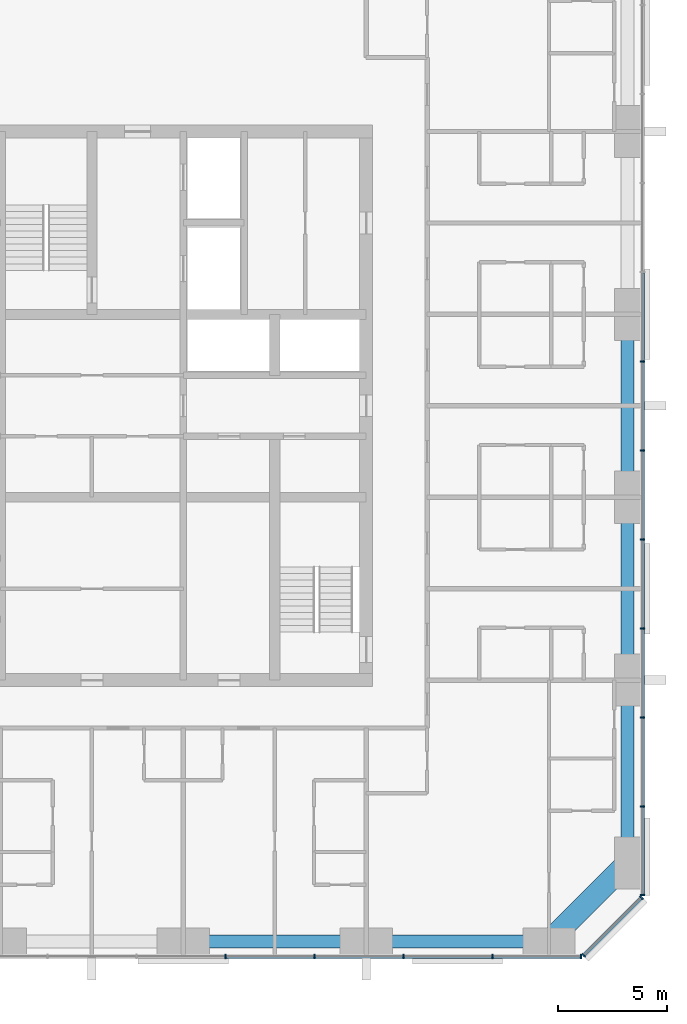
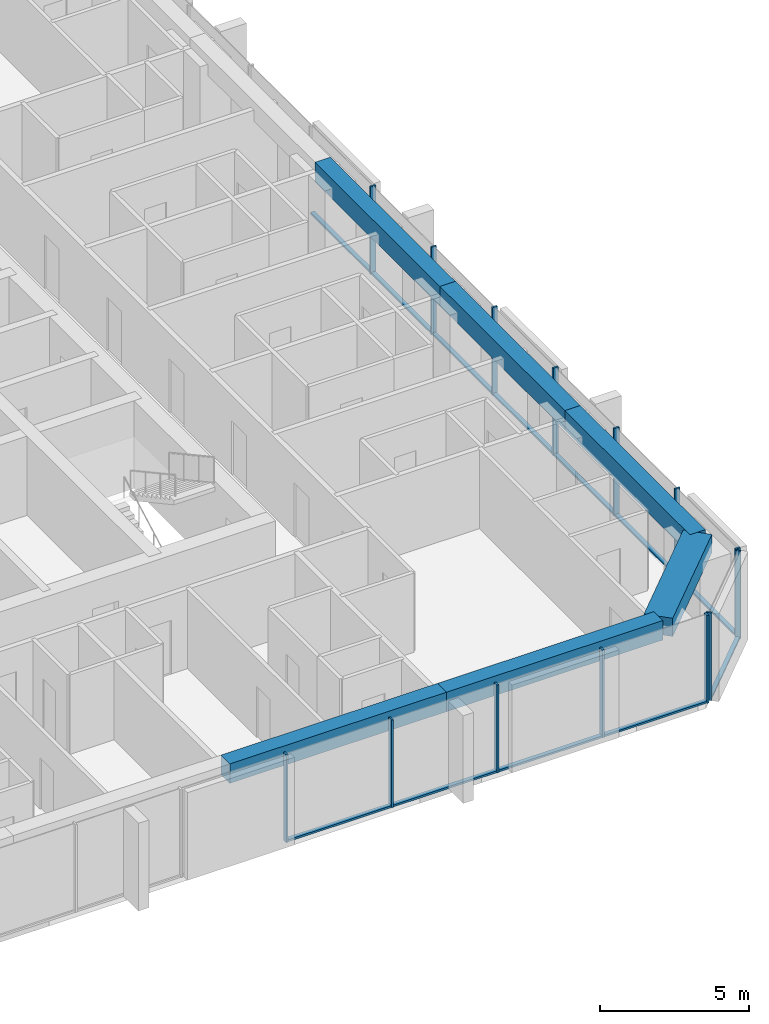
# One storey, part 4 of 14: 26 members, 6 beams, 3 elements without a shape of their own.
"""IFC4 building model written with IfcOpenShell, lengths in metres."""

import ifcopenshell
import ifcopenshell.guid

model = None  # the IFC model being written
_history = None  # IfcOwnerHistory: only IFC2X3 demands one
_inside = {}  # id of a spatial element -> (the spatial element, [elements in it])
_under = {}  # id of a project, library or spatial element -> (it, [spatial elements below it])
_declared = {}  # id of a project -> (the project, [libraries it declares])
_typed = {}  # id of a type object -> (the type object, [elements of that type])
_made_of = {}  # id of a material, layer set ... -> (it, [elements and type objects made of it])


def new_model(schema):
    """Start an empty IFC model of exactly this schema.

    Asked for "IFC4X3", IfcOpenShell would pick the latest addendum, in which some entities
    have other attributes; the version numbers below select the first issue.
    IFC2X3 requires an IfcOwnerHistory on every rooted entity: one is made here for all.
    """
    global model, _history
    if schema == "IFC4X3":
        model = ifcopenshell.file(schema_version=(4, 3, 0, 0))
    else:
        model = ifcopenshell.file(schema=schema)
    _inside.clear()
    _under.clear()
    _declared.clear()
    _typed.clear()
    _made_of.clear()
    _history = None
    if model.schema == "IFC2X3":
        org = make("IfcOrganization", Name="unknown")
        user = make(
            "IfcPersonAndOrganization",
            ThePerson=make("IfcPerson", FamilyName="unknown"),
            TheOrganization=org,
        )
        app = make(
            "IfcApplication",
            ApplicationDeveloper=org,
            Version="unknown",
            ApplicationFullName="unknown",
            ApplicationIdentifier="unknown",
        )
        _history = make(
            "IfcOwnerHistory",
            OwningUser=user,
            OwningApplication=app,
            ChangeAction="ADDED",
            CreationDate=0,
        )
    return model


def make(cls, **values):
    """One entity of the class cls with the attributes given. An attribute that is None is left unset."""
    return model.create_entity(
        cls, **{name: value for name, value in values.items() if value is not None}
    )


def rooted(cls, **values):
    """An entity with a GlobalId (a new one), such as an element, a storey or a relation."""
    return make(cls, GlobalId=ifcopenshell.guid.new(), OwnerHistory=_history, **values)


def si_unit(unit_type, name, prefix=None):
    """IfcSIUnit, for example si_unit("LENGTHUNIT", "METRE", prefix="MILLI")."""
    return make("IfcSIUnit", UnitType=unit_type, Prefix=prefix, Name=name)


def assignment(units):
    """IfcUnitAssignment: the units of a project."""
    return None if units is None else make("IfcUnitAssignment", Units=units)


def point(xyz):
    """IfcCartesianPoint."""
    return None if xyz is None else make("IfcCartesianPoint", Coordinates=xyz)


def direction(xyz):
    """IfcDirection."""
    return None if xyz is None else make("IfcDirection", DirectionRatios=xyz)


def frame(location, z_axis=None, x_axis=None):
    """IfcAxis2Placement3D, a coordinate frame: its origin and axes. An axis left out is left unset."""
    return make(
        "IfcAxis2Placement3D",
        Location=point(location),
        Axis=direction(z_axis),
        RefDirection=direction(x_axis),
    )


def frame_2d(location, x_axis=None):
    """IfcAxis2Placement2D, a coordinate frame in the plane: its origin and x axis."""
    return make(
        "IfcAxis2Placement2D", Location=point(location), RefDirection=direction(x_axis)
    )


def origin():
    """The frame at (0, 0, 0) with its axes left unset."""
    return frame((0.0, 0.0, 0.0))


def origin_2d():
    """The frame at (0, 0) in the plane with its x axis left unset."""
    return frame_2d((0.0, 0.0))


def place(relative_to, where):
    """IfcLocalPlacement: puts the frame where relative to a parent placement (None: the world)."""
    return make(
        "IfcLocalPlacement", PlacementRelTo=relative_to, RelativePlacement=where
    )


def context(
    kind, dimensions, precision=None, world=None, true_north=None, identifier=None
):
    """IfcGeometricRepresentationContext, for example the 3D "Model" context."""
    return make(
        "IfcGeometricRepresentationContext",
        ContextIdentifier=identifier,
        ContextType=kind,
        CoordinateSpaceDimension=dimensions,
        Precision=precision,
        WorldCoordinateSystem=world,
        TrueNorth=true_north,
    )


def subcontext(parent, identifier, kind, view, scale=None):
    """IfcGeometricRepresentationSubContext, for example "Body" below "Model"."""
    return make(
        "IfcGeometricRepresentationSubContext",
        ContextIdentifier=identifier,
        ContextType=kind,
        ParentContext=parent,
        TargetScale=scale,
        TargetView=view,
    )


def project(units=None, contexts=None):
    """IfcProject with its units and contexts."""
    return rooted(
        "IfcProject",
        Name="project",
        RepresentationContexts=contexts,
        UnitsInContext=assignment(units),
    )


def spatial(cls, under=None, at=None, **own):
    """A site, building, storey or space (cls), placed at a placement, below another one or the project."""
    s = rooted(cls, ObjectPlacement=at, **own)
    if under is not None:
        _under.setdefault(under.id(), (under, []))[1].append(s)
    return s


def profile(cls, at=None, kind="AREA", **sizes):
    """A parametric profile (cls). Its sizes go by their IFC names, for example OverallWidth=200.0."""
    return make(cls, ProfileType=kind, Position=at, **sizes)


def rectangle(**sizes):
    """IfcRectangleProfileDef."""
    return profile("IfcRectangleProfileDef", **sizes)


def extrude(swept, where, along, depth):
    """IfcExtrudedAreaSolid: the profile swept, set in the frame where, extruded along a direction by depth."""
    return make(
        "IfcExtrudedAreaSolid",
        SweptArea=swept,
        Position=where,
        ExtrudedDirection=direction(along),
        Depth=depth,
    )


def shape(context_of_items, identifier, shape_type, items):
    """IfcShapeRepresentation: the items that make up one representation, for example the "Body"."""
    return make(
        "IfcShapeRepresentation",
        ContextOfItems=context_of_items,
        RepresentationIdentifier=identifier,
        RepresentationType=shape_type,
        Items=items,
    )


def material(Name=None, Category=None):
    """IfcMaterial."""
    return make("IfcMaterial", Name=Name, Category=Category)


def material_profile(
    of_material, cross_section, Name=None, Category=None, Priority=None
):
    """IfcMaterialProfile: a cross section and its material."""
    return make(
        "IfcMaterialProfile",
        Name=Name,
        Material=of_material,
        Profile=cross_section,
        Priority=Priority,
        Category=Category,
    )


def profile_set(profiles, Name=None, composite=None):
    """IfcMaterialProfileSet."""
    return make(
        "IfcMaterialProfileSet",
        Name=Name,
        MaterialProfiles=profiles,
        CompositeProfile=composite,
    )


def made_of(thing, what):
    """Note that an element or type object is made of a material, layer set ...; save() writes the relation."""
    if what is not None:
        _made_of.setdefault(what.id(), (what, []))[1].append(thing)
    return thing


def type_object(cls, material=None, **own):
    """A type object (cls), such as IfcWallType, which elements share."""
    return made_of(rooted(cls, **own), material)


def element(
    cls,
    number,
    at=None,
    inside=None,
    cuts=None,
    type_object=None,
    material=None,
    context=None,
    identifier="Body",
    shape_type=None,
    held_by="IfcProductDefinitionShape",
    body=None,
    shapes=None,
    **own,
):
    """One element of the class cls, such as IfcWall. Its Tag is "e" and its number.

    at: its placement. inside: the storey or other place that contains it. cuts: it is an
    opening in that element (IfcRelVoidsElement). A single representation is given by context,
    identifier, shape_type and body (its items); several are given by shapes. held_by: the class
    of the entity that holds the representations. save() writes the other relations.
    """
    e = rooted(cls, Tag="e%d" % number, ObjectPlacement=at, **own)
    if body is not None:
        shapes = [shape(context, identifier, shape_type, body)]
    if shapes is not None:
        e.Representation = make(held_by, Representations=shapes)
    if inside is not None:
        _inside.setdefault(inside.id(), (inside, []))[1].append(e)
    if cuts is not None:
        rooted(
            "IfcRelVoidsElement", RelatingBuildingElement=cuts, RelatedOpeningElement=e
        )
    if type_object is not None:
        _typed.setdefault(type_object.id(), (type_object, []))[1].append(e)
    return made_of(e, material)


def aggregate(whole, parts):
    """IfcRelAggregates: a whole, such as a stair, and the parts it consists of."""
    return rooted("IfcRelAggregates", RelatingObject=whole, RelatedObjects=parts)


def save(model, path):
    """Write the relations noted so far, then the file.

    IfcRelAggregates (storeys below a building ...), IfcRelContainedInSpatialStructure (elements
    in a storey), IfcRelDefinesByType, IfcRelAssociatesMaterial and IfcRelDeclares: one each for
    every whole, place, type object, material and project.
    """
    for whole, parts in _under.values():
        aggregate(whole, parts)
    for where, things in _inside.values():
        rooted(
            "IfcRelContainedInSpatialStructure",
            RelatedElements=things,
            RelatingStructure=where,
        )
    for kind, things in _typed.values():
        rooted("IfcRelDefinesByType", RelatedObjects=things, RelatingType=kind)
    for what, things in _made_of.values():
        rooted("IfcRelAssociatesMaterial", RelatedObjects=things, RelatingMaterial=what)
    for by, libraries in _declared.values():
        rooted("IfcRelDeclares", RelatingContext=by, RelatedDefinitions=libraries)
    model.write(path)


model = new_model("IFC4")

# Units and contexts
model_context = context("Model", 3, precision=1e-05, world=origin(), true_north=direction((0.0, 1.0)))
body_context = subcontext(model_context, "Body", "Model", "MODEL_VIEW")
ifc_project = project(units=[si_unit("LENGTHUNIT", "METRE"), si_unit("AREAUNIT", "SQUARE_METRE"), si_unit("VOLUMEUNIT", "CUBIC_METRE"), si_unit("PLANEANGLEUNIT", "RADIAN"), si_unit("MASSUNIT", "GRAM", prefix="KILO")], contexts=[model_context])

# Site, building, storey
site_placement = place(None, origin())
site = spatial("IfcSite", under=ifc_project, at=site_placement, CompositionType="ELEMENT")
building_placement = place(site_placement, origin())
building = spatial("IfcBuilding", under=site, at=building_placement, Name="Dunama Terrace Hotel", CompositionType="ELEMENT")
storey_placement = place(building_placement, frame((0.0, 0.0, 180.60009765625)))
storey = spatial("IfcBuildingStorey", under=building, at=storey_placement, Name="L46", CompositionType="ELEMENT", Elevation=180.60009765625)

# Curtain wall, members
ifc_material_1 = material(Name="Aluminium curtain wall system", Category="aluminium")
curtain_wall_type = type_object("IfcCurtainWallType", Name="Unitised fritted glass wall CW-C", PredefinedType="NOTDEFINED", material=ifc_material_1)
curtain_wall_1_placement = place(storey_placement, origin())
curtain_wall_1 = element("IfcCurtainWall", 1, at=curtain_wall_1_placement, inside=storey, type_object=curtain_wall_type, Name="Unitised fritted glass wall CW-C L46", PredefinedType="NOTDEFINED")
ifc_material_2 = material(Name="Aluminium mullion", Category="aluminium")
ifc_material_profile_1 = material_profile(ifc_material_2, rectangle(XDim=0.070068359375, YDim=0.199951171875, at=origin_2d()), Name="CWC MULLION 70X200")
ifc_profile_set_1 = profile_set([ifc_material_profile_1], Name="Aluminium mullion")
member_type_1 = type_object("IfcMemberType", Name="CWC mullion 70x200", PredefinedType="MULLION", material=ifc_profile_set_1)
member_1_placement = place(storey_placement, frame((35.535888671875, 4.10009765625, 0.0), z_axis=(0.0, 0.0, 1.0), x_axis=(1.0, 0.0, 0.0)))
member_1 = element("IfcMember", 2, at=member_1_placement, type_object=member_type_1, Name="CWC mullion", PredefinedType="MULLION", context=body_context, shape_type="SweptSolid", body=[
    extrude(rectangle(XDim=0.070068359375, YDim=0.199951171875, at=origin_2d()), origin(), (0.0, 0.0, 1.0), 3.599853515625),
])
member_2_placement = place(storey_placement, frame((39.626953125, 4.10009765625, 0.0), z_axis=(0.0, 0.0, 1.0), x_axis=(1.0, 0.0, 0.0)))
member_2 = element("IfcMember", 3, at=member_2_placement, type_object=member_type_1, Name="CWC mullion", PredefinedType="MULLION", context=body_context, shape_type="SweptSolid", body=[
    extrude(rectangle(XDim=0.070068359375, YDim=0.199951171875, at=origin_2d()), origin(), (0.0, 0.0, 1.0), 3.599853515625),
])
member_3_placement = place(storey_placement, frame((43.718017578125, 4.10009765625, 0.0), z_axis=(0.0, 0.0, 1.0), x_axis=(1.0, 0.0, 0.0)))
member_3 = element("IfcMember", 4, at=member_3_placement, type_object=member_type_1, Name="CWC mullion", PredefinedType="MULLION", context=body_context, shape_type="SweptSolid", body=[
    extrude(rectangle(XDim=0.070068359375, YDim=0.199951171875, at=origin_2d()), origin(), (0.0, 0.0, 1.0), 3.599853515625),
])
member_4_placement = place(storey_placement, frame((47.80908203125, 4.10009765625, 0.0), z_axis=(0.0, 0.0, 1.0), x_axis=(1.0, 0.0, 0.0)))
member_4 = element("IfcMember", 5, at=member_4_placement, type_object=member_type_1, Name="CWC mullion", PredefinedType="MULLION", context=body_context, shape_type="SweptSolid", body=[
    extrude(rectangle(XDim=0.070068359375, YDim=0.199951171875, at=origin_2d()), origin(), (0.0, 0.0, 1.0), 3.599853515625),
])
member_5_placement = place(storey_placement, frame((51.864990234375, 4.10009765625, 0.0), z_axis=(0.0, 0.0, 1.0), x_axis=(1.0, 0.0, 0.0)))
member_5 = element("IfcMember", 6, at=member_5_placement, type_object=member_type_1, Name="CWC mullion", PredefinedType="MULLION", context=body_context, shape_type="SweptSolid", body=[
    extrude(rectangle(XDim=0.070068359375, YDim=0.199951171875, at=origin_2d()), origin(), (0.0, 0.0, 1.0), 3.599853515625),
])

curtain_wall_2_placement = place(storey_placement, origin())
curtain_wall_2 = element("IfcCurtainWall", 7, at=curtain_wall_2_placement, inside=storey, type_object=curtain_wall_type, Name="Unitised fritted glass wall CW-C L46", PredefinedType="NOTDEFINED")
member_6_placement = place(storey_placement, frame((51.9951171875, 4.154052734375, 0.0), z_axis=(0.0, 0.0, 1.0), x_axis=(0.707106781187, 0.707106781187, 0.0)))
member_6 = element("IfcMember", 8, at=member_6_placement, type_object=member_type_1, Name="CWC mullion", PredefinedType="MULLION", context=body_context, shape_type="SweptSolid", body=[
    extrude(rectangle(XDim=0.070068359375, YDim=0.199951171875, at=origin_2d()), origin(), (0.0, 0.0, 1.0), 3.599853515625),
])
member_7_placement = place(storey_placement, frame((54.64599609375, 6.804931640625, 0.0), z_axis=(0.0, 0.0, 1.0), x_axis=(0.707106781187, 0.707106781187, 0.0)))
member_7 = element("IfcMember", 9, at=member_7_placement, type_object=member_type_1, Name="CWC mullion", PredefinedType="MULLION", context=body_context, shape_type="SweptSolid", body=[
    extrude(rectangle(XDim=0.070068359375, YDim=0.199951171875, at=origin_2d()), origin(), (0.0, 0.0, 1.0), 3.599853515625),
])

curtain_wall_3_placement = place(storey_placement, origin())
curtain_wall_3 = element("IfcCurtainWall", 10, at=curtain_wall_3_placement, inside=storey, type_object=curtain_wall_type, Name="Unitised fritted glass wall CW-C L46", PredefinedType="NOTDEFINED")
member_8_placement = place(storey_placement, frame((54.699951171875, 6.93505859375, 0.0), z_axis=(0.0, 0.0, 1.0), x_axis=(0.0, 1.0, 0.0)))
member_8 = element("IfcMember", 11, at=member_8_placement, type_object=member_type_1, Name="CWC mullion", PredefinedType="MULLION", context=body_context, shape_type="SweptSolid", body=[
    extrude(rectangle(XDim=0.070068359375, YDim=0.199951171875, at=origin_2d()), origin(), (0.0, 0.0, 1.0), 3.599853515625),
])
member_9_placement = place(storey_placement, frame((54.699951171875, 10.990966796875, 0.0), z_axis=(0.0, 0.0, 1.0), x_axis=(0.0, 1.0, 0.0)))
member_9 = element("IfcMember", 12, at=member_9_placement, type_object=member_type_1, Name="CWC mullion", PredefinedType="MULLION", context=body_context, shape_type="SweptSolid", body=[
    extrude(rectangle(XDim=0.070068359375, YDim=0.199951171875, at=origin_2d()), origin(), (0.0, 0.0, 1.0), 3.599853515625),
])
member_10_placement = place(storey_placement, frame((54.699951171875, 15.08203125, 0.0), z_axis=(0.0, 0.0, 1.0), x_axis=(0.0, 1.0, 0.0)))
member_10 = element("IfcMember", 13, at=member_10_placement, type_object=member_type_1, Name="CWC mullion", PredefinedType="MULLION", context=body_context, shape_type="SweptSolid", body=[
    extrude(rectangle(XDim=0.070068359375, YDim=0.199951171875, at=origin_2d()), origin(), (0.0, 0.0, 1.0), 3.599853515625),
])
member_11_placement = place(storey_placement, frame((54.699951171875, 19.173095703125, 0.0), z_axis=(0.0, 0.0, 1.0), x_axis=(0.0, 1.0, 0.0)))
member_11 = element("IfcMember", 14, at=member_11_placement, type_object=member_type_1, Name="CWC mullion", PredefinedType="MULLION", context=body_context, shape_type="SweptSolid", body=[
    extrude(rectangle(XDim=0.070068359375, YDim=0.199951171875, at=origin_2d()), origin(), (0.0, 0.0, 1.0), 3.599853515625),
])
member_12_placement = place(storey_placement, frame((54.699951171875, 23.263916015625, 0.0), z_axis=(0.0, 0.0, 1.0), x_axis=(0.0, 1.0, 0.0)))
member_12 = element("IfcMember", 15, at=member_12_placement, type_object=member_type_1, Name="CWC mullion", PredefinedType="MULLION", context=body_context, shape_type="SweptSolid", body=[
    extrude(rectangle(XDim=0.070068359375, YDim=0.199951171875, at=origin_2d()), origin(), (0.0, 0.0, 1.0), 3.599853515625),
])
member_13_placement = place(storey_placement, frame((54.699951171875, 27.35498046875, 0.0), z_axis=(0.0, 0.0, 1.0), x_axis=(0.0, 1.0, 0.0)))
member_13 = element("IfcMember", 16, at=member_13_placement, type_object=member_type_1, Name="CWC mullion", PredefinedType="MULLION", context=body_context, shape_type="SweptSolid", body=[
    extrude(rectangle(XDim=0.070068359375, YDim=0.199951171875, at=origin_2d()), origin(), (0.0, 0.0, 1.0), 3.599853515625),
])
member_14_placement = place(storey_placement, frame((54.699951171875, 31.445068359375, 0.0), z_axis=(0.0, 0.0, 1.0), x_axis=(0.0, 1.0, 0.0)))
member_14 = element("IfcMember", 17, at=member_14_placement, type_object=member_type_1, Name="CWC mullion", PredefinedType="MULLION", context=body_context, shape_type="SweptSolid", body=[
    extrude(rectangle(XDim=0.070068359375, YDim=0.199951171875, at=origin_2d()), origin(), (0.0, 0.0, 1.0), 3.599853515625),
])

# Member
ifc_material_3 = material(Name="Aluminium transom", Category="aluminium")
ifc_material_profile_2 = material_profile(ifc_material_3, rectangle(XDim=0.159912109375, YDim=0.080078125, at=origin_2d()), Name="CWC TRANSOM 160X80")
ifc_profile_set_2 = profile_set([ifc_material_profile_2], Name="Aluminium transom")
member_type_2 = type_object("IfcMemberType", Name="CWC transom 160x80", PredefinedType="USERDEFINED", material=ifc_profile_set_2)
member_15_placement = place(storey_placement, frame((35.571044921875, 4.10009765625, 0.039794921875), z_axis=(1.0, 0.0, 0.0), x_axis=(0.0, 1.0, 0.0)))
member_15 = element("IfcMember", 18, at=member_15_placement, type_object=member_type_2, Name="CWC transom", ObjectType="TRANSOM", PredefinedType="USERDEFINED", context=body_context, shape_type="SweptSolid", body=[
    extrude(rectangle(XDim=0.159912109375, YDim=0.080078125, at=origin_2d()), origin(), (0.0, 0.0, 1.0), 4.02099609375),
])

member_16_placement = place(storey_placement, frame((39.662109375, 4.10009765625, 0.039794921875), z_axis=(1.0, 0.0, 0.0), x_axis=(0.0, 1.0, 0.0)))
member_16 = element("IfcMember", 19, at=member_16_placement, type_object=member_type_2, Name="CWC transom", ObjectType="TRANSOM", PredefinedType="USERDEFINED", context=body_context, shape_type="SweptSolid", body=[
    extrude(rectangle(XDim=0.159912109375, YDim=0.080078125, at=origin_2d()), origin(), (0.0, 0.0, 1.0), 4.02099609375),
])

member_17_placement = place(storey_placement, frame((43.7529296875, 4.10009765625, 0.039794921875), z_axis=(1.0, 0.0, 0.0), x_axis=(0.0, 1.0, 0.0)))
member_17 = element("IfcMember", 20, at=member_17_placement, type_object=member_type_2, Name="CWC transom", ObjectType="TRANSOM", PredefinedType="USERDEFINED", context=body_context, shape_type="SweptSolid", body=[
    extrude(rectangle(XDim=0.159912109375, YDim=0.080078125, at=origin_2d()), origin(), (0.0, 0.0, 1.0), 4.02099609375),
])

member_18_placement = place(storey_placement, frame((47.843994140625, 4.10009765625, 0.039794921875), z_axis=(1.0, 0.0, 0.0), x_axis=(0.0, 1.0, 0.0)))
member_18 = element("IfcMember", 21, at=member_18_placement, type_object=member_type_2, Name="CWC transom", ObjectType="TRANSOM", PredefinedType="USERDEFINED", context=body_context, shape_type="SweptSolid", body=[
    extrude(rectangle(XDim=0.159912109375, YDim=0.080078125, at=origin_2d()), origin(), (0.0, 0.0, 1.0), 3.986083984375),
])

aggregate(curtain_wall_1, [member_1, member_2, member_3, member_4, member_5, member_15, member_16, member_17, member_18])

member_19_placement = place(storey_placement, frame((52.02001953125, 4.178955078125, 0.039794921875), z_axis=(0.707106781187, 0.707106781187, 0.0), x_axis=(-0.707106781187, 0.707106781187, 0.0)))
member_19 = element("IfcMember", 22, at=member_19_placement, type_object=member_type_2, Name="CWC transom", ObjectType="TRANSOM", PredefinedType="USERDEFINED", context=body_context, shape_type="SweptSolid", body=[
    extrude(rectangle(XDim=0.159912109375, YDim=0.080078125, at=origin_2d()), origin(), (0.0, 0.0, 1.0), 3.678466796875),
])

aggregate(curtain_wall_2, [member_6, member_7, member_19])

member_20_placement = place(storey_placement, frame((54.699951171875, 6.969970703125, 0.039794921875), z_axis=(0.0, 1.0, 0.0), x_axis=(-1.0, 0.0, 0.0)))
member_20 = element("IfcMember", 23, at=member_20_placement, type_object=member_type_2, Name="CWC transom", ObjectType="TRANSOM", PredefinedType="USERDEFINED", context=body_context, shape_type="SweptSolid", body=[
    extrude(rectangle(XDim=0.159912109375, YDim=0.080078125, at=origin_2d()), origin(), (0.0, 0.0, 1.0), 3.986083984375),
])

member_21_placement = place(storey_placement, frame((54.699951171875, 11.02587890625, 0.039794921875), z_axis=(0.0, 1.0, 0.0), x_axis=(-1.0, 0.0, 0.0)))
member_21 = element("IfcMember", 24, at=member_21_placement, type_object=member_type_2, Name="CWC transom", ObjectType="TRANSOM", PredefinedType="USERDEFINED", context=body_context, shape_type="SweptSolid", body=[
    extrude(rectangle(XDim=0.159912109375, YDim=0.080078125, at=origin_2d()), origin(), (0.0, 0.0, 1.0), 4.021240234375),
])

member_22_placement = place(storey_placement, frame((54.699951171875, 15.116943359375, 0.039794921875), z_axis=(0.0, 1.0, 0.0), x_axis=(-1.0, 0.0, 0.0)))
member_22 = element("IfcMember", 25, at=member_22_placement, type_object=member_type_2, Name="CWC transom", ObjectType="TRANSOM", PredefinedType="USERDEFINED", context=body_context, shape_type="SweptSolid", body=[
    extrude(rectangle(XDim=0.159912109375, YDim=0.080078125, at=origin_2d()), origin(), (0.0, 0.0, 1.0), 4.02099609375),
])

member_23_placement = place(storey_placement, frame((54.699951171875, 19.2080078125, 0.039794921875), z_axis=(0.0, 1.0, 0.0), x_axis=(-1.0, 0.0, 0.0)))
member_23 = element("IfcMember", 26, at=member_23_placement, type_object=member_type_2, Name="CWC transom", ObjectType="TRANSOM", PredefinedType="USERDEFINED", context=body_context, shape_type="SweptSolid", body=[
    extrude(rectangle(XDim=0.159912109375, YDim=0.080078125, at=origin_2d()), origin(), (0.0, 0.0, 1.0), 4.02099609375),
])

member_24_placement = place(storey_placement, frame((54.699951171875, 23.299072265625, 0.039794921875), z_axis=(0.0, 1.0, 0.0), x_axis=(-1.0, 0.0, 0.0)))
member_24 = element("IfcMember", 27, at=member_24_placement, type_object=member_type_2, Name="CWC transom", ObjectType="TRANSOM", PredefinedType="USERDEFINED", context=body_context, shape_type="SweptSolid", body=[
    extrude(rectangle(XDim=0.159912109375, YDim=0.080078125, at=origin_2d()), origin(), (0.0, 0.0, 1.0), 4.02099609375),
])

member_25_placement = place(storey_placement, frame((54.699951171875, 27.389892578125, 0.039794921875), z_axis=(0.0, 1.0, 0.0), x_axis=(-1.0, 0.0, 0.0)))
member_25 = element("IfcMember", 28, at=member_25_placement, type_object=member_type_2, Name="CWC transom", ObjectType="TRANSOM", PredefinedType="USERDEFINED", context=body_context, shape_type="SweptSolid", body=[
    extrude(rectangle(XDim=0.159912109375, YDim=0.080078125, at=origin_2d()), origin(), (0.0, 0.0, 1.0), 4.02001953125),
])

member_26_placement = place(storey_placement, frame((54.699951171875, 31.47998046875, 0.039794921875), z_axis=(0.0, 1.0, 0.0), x_axis=(-1.0, 0.0, 0.0)))
member_26 = element("IfcMember", 29, at=member_26_placement, type_object=member_type_2, Name="CWC transom", ObjectType="TRANSOM", PredefinedType="USERDEFINED", context=body_context, shape_type="SweptSolid", body=[
    extrude(rectangle(XDim=0.159912109375, YDim=0.080078125, at=origin_2d()), origin(), (0.0, 0.0, 1.0), 4.02099609375),
])

aggregate(curtain_wall_3, [member_8, member_9, member_10, member_11, member_12, member_13, member_14, member_20, member_21, member_22, member_23, member_24, member_25, member_26])

# Beams
ifc_material_4 = material(Name="Concrete C50/60", Category="concrete")
ifc_material_profile_3 = material_profile(ifc_material_4, rectangle(XDim=1.0, YDim=0.75, at=origin_2d()), Name="RC 1000x750")
ifc_profile_set_3 = profile_set([ifc_material_profile_3], Name="Concrete C50/60")
beam_type_1 = type_object("IfcBeamType", Name="Edge beam RC 1000x750", PredefinedType="SPANDREL", material=ifc_profile_set_3)
beam_1_placement = place(storey_placement, frame((50.39990234375, 4.800048828125, 3.224853515625), z_axis=(0.707130757816, 0.707082803744, 0.0), x_axis=(-0.707082803744, 0.707130757816, 0.0)))
element("IfcBeam", 30, at=beam_1_placement, inside=storey, type_object=beam_type_1, Name="Corner edge beam under L47", PredefinedType="SPANDREL", context=body_context, shape_type="SweptSolid", body=[
    extrude(rectangle(XDim=1.0, YDim=0.75, at=origin_2d()), origin(), (0.0, 0.0, 1.0), 5.091064453125),
])
ifc_material_5 = material(Name="Concrete C40/50", Category="concrete")
ifc_material_profile_4 = material_profile(ifc_material_5, rectangle(XDim=0.60009765625, YDim=0.800048828125, at=origin_2d()), Name="RC 600x800")
ifc_profile_set_4 = profile_set([ifc_material_profile_4], Name="Concrete C40/50")
beam_type_2 = type_object("IfcBeamType", Name="Edge beam RC 600x800", PredefinedType="SPANDREL", material=ifc_profile_set_4)
beam_2_placement = place(storey_placement, frame((54.0, 8.39990234375, 3.199951171875), z_axis=(0.0, 1.0, 0.0), x_axis=(-1.0, 0.0, 0.0)))
element("IfcBeam", 31, at=beam_2_placement, inside=storey, type_object=beam_type_2, Name="Edge beam under L47", PredefinedType="SPANDREL", context=body_context, shape_type="SweptSolid", body=[
    extrude(rectangle(XDim=0.60009765625, YDim=0.800048828125, at=origin_2d()), origin(), (0.0, 0.0, 1.0), 8.400146484375),
])
beam_3_placement = place(storey_placement, frame((54.0, 16.800048828125, 3.199951171875), z_axis=(0.0, 1.0, 0.0), x_axis=(-1.0, 0.0, 0.0)))
element("IfcBeam", 32, at=beam_3_placement, inside=storey, type_object=beam_type_2, Name="Edge beam under L47", PredefinedType="SPANDREL", context=body_context, shape_type="SweptSolid", body=[
    extrude(rectangle(XDim=0.60009765625, YDim=0.800048828125, at=origin_2d()), origin(), (0.0, 0.0, 1.0), 8.39990234375),
])
beam_4_placement = place(storey_placement, frame((54.0, 25.199951171875, 3.199951171875), z_axis=(0.0, 1.0, 0.0), x_axis=(-1.0, 0.0, 0.0)))
element("IfcBeam", 33, at=beam_4_placement, inside=storey, type_object=beam_type_2, Name="Edge beam under L47", PredefinedType="SPANDREL", context=body_context, shape_type="SweptSolid", body=[
    extrude(rectangle(XDim=0.60009765625, YDim=0.800048828125, at=origin_2d()), origin(), (0.0, 0.0, 1.0), 8.400146484375),
])
for number, where, z_axis, x_axis, name in (
    (34, (33.60009765625, 4.800048828125, 3.199951171875), (1.0, 0.0, 0.0), (0.0, 1.0, 0.0), "Edge beam under L47"),
    (35, (42.0, 4.800048828125, 3.199951171875), (1.0, 0.0, 0.0), (0.0, 1.0, 0.0), "Edge beam under L47"),
):
    element("IfcBeam", number, at=place(storey_placement, frame(where, z_axis=z_axis, x_axis=x_axis)), inside=storey, type_object=beam_type_2, Name=name, PredefinedType="SPANDREL", context=body_context, shape_type="SweptSolid", body=[
        extrude(rectangle(XDim=0.60009765625, YDim=0.800048828125, at=origin_2d()), origin(), (0.0, 0.0, 1.0), 8.39990234375),
    ])

save(model, "model.ifc")
